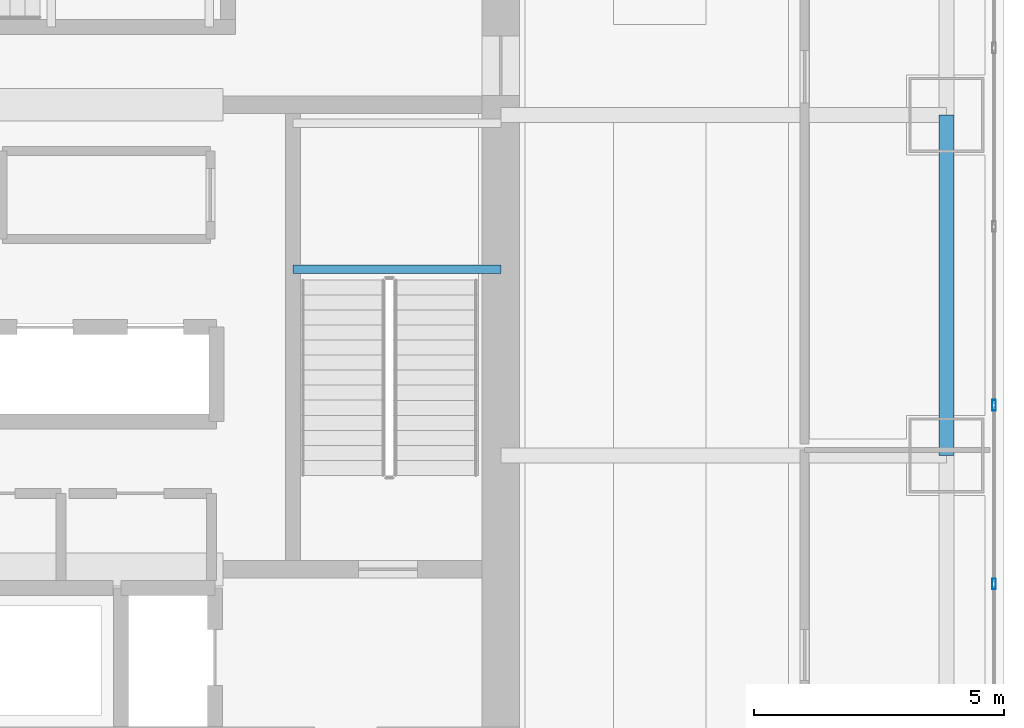
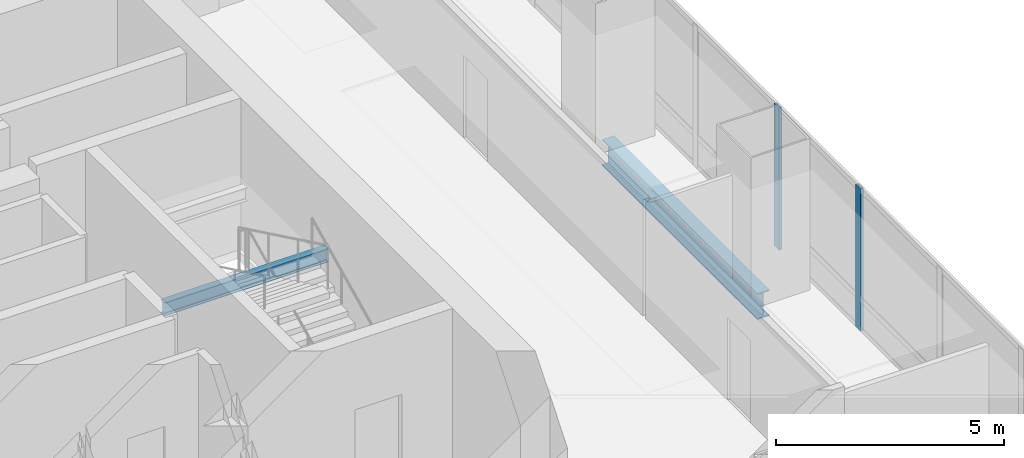
# One storey, part 15 of 36: 2 beams, 2 members, 1 element without a shape of its own.
"""IFC4 building model written with IfcOpenShell, lengths in metres."""

from ifc_helpers import new_model, si_unit, direction, frame, origin, origin_2d, place, context, subcontext, project, spatial, hollow_rectangle, i_section, extrude, material, material_profile, profile_set, type_object, element, aggregate, save


model = new_model("IFC4")

# Units and contexts
model_context = context("Model", 3, precision=1e-05, world=origin(), true_north=direction((0.0, 1.0)))
body_context = subcontext(model_context, "Body", "Model", "MODEL_VIEW")
ifc_project = project(units=[si_unit("LENGTHUNIT", "METRE"), si_unit("AREAUNIT", "SQUARE_METRE"), si_unit("VOLUMEUNIT", "CUBIC_METRE"), si_unit("PLANEANGLEUNIT", "RADIAN"), si_unit("MASSUNIT", "GRAM", prefix="KILO")], contexts=[model_context])

# Site, building, storey
site_placement = place(None, origin())
site = spatial("IfcSite", under=ifc_project, at=site_placement, CompositionType="ELEMENT")
building_placement = place(site_placement, origin())
building = spatial("IfcBuilding", under=site, at=building_placement, Name="Punatoya Terracotta Tower", CompositionType="ELEMENT")
storey_placement = place(building_placement, frame((0.0, 0.0, 48.449951171875)))
storey = spatial("IfcBuildingStorey", under=building, at=storey_placement, Name="L10", CompositionType="ELEMENT", Elevation=48.449951171875)

# Beams
ifc_material_1 = material(Name="Steel S355", Category="steel")
ifc_material_profile_1 = material_profile(ifc_material_1, i_section(OverallWidth=0.300048828125, OverallDepth=0.699951171875, WebThickness=0.01708984375, FlangeThickness=0.031982421875, FilletRadius=0.01806640625, at=origin_2d()))
ifc_profile_set_1 = profile_set([ifc_material_profile_1], Name="Steel S355")
beam_type_1 = type_object("IfcBeamType", Name="BM-PRI-700", PredefinedType="BEAM", material=ifc_profile_set_1)
beam_1_placement = place(storey_placement, frame((19.10009765625, -3.39990234375, -0.58984375), z_axis=(0.0, 1.0, 0.0), x_axis=(-1.0, 0.0, 0.0)))
element("IfcBeam", 1, at=beam_1_placement, inside=storey, type_object=beam_type_1, Name="BM-L10-RG-E2", PredefinedType="BEAM", context=body_context, shape_type="SweptSolid", body=[
    extrude(i_section(OverallWidth=0.300048828125, OverallDepth=0.699951171875, WebThickness=0.01708984375, FlangeThickness=0.031982421875, FilletRadius=0.01806640625, at=origin_2d()), origin(), (0.0, 0.0, 1.0), 6.7998046875),
])
ifc_material_profile_2 = material_profile(ifc_material_1, i_section(OverallWidth=0.169921875, OverallDepth=0.360107421875, WebThickness=0.008056640625, FlangeThickness=0.0126953125, FilletRadius=0.01806640625, at=origin_2d()))
ifc_profile_set_2 = profile_set([ifc_material_profile_2], Name="Steel S355")
beam_type_2 = type_object("IfcBeamType", Name="BM-SEC-360", PredefinedType="JOIST", material=ifc_profile_set_2)
beam_2_placement = place(storey_placement, frame((6.050048828125, 0.320068359375, 1.64501953125), z_axis=(1.0, 0.0, 0.0), x_axis=(0.0, 1.0, 0.0)))
element("IfcBeam", 2, at=beam_2_placement, inside=storey, type_object=beam_type_2, Name="BM-L10-ST-2-LD1A", PredefinedType="JOIST", context=body_context, shape_type="SweptSolid", body=[
    extrude(i_section(OverallWidth=0.169921875, OverallDepth=0.360107421875, WebThickness=0.008056640625, FlangeThickness=0.0126953125, FilletRadius=0.01806640625, at=origin_2d()), origin(), (0.0, 0.0, 1.0), 4.14990234375),
])

# Curtain wall, members
ifc_material_2 = material(Name="Aluminium 6063-T6 + Double Low-E Glass", Category="aluminium")
curtain_wall_type = type_object("IfcCurtainWallType", Name="CW-M1", PredefinedType="NOTDEFINED", material=ifc_material_2)
curtain_wall_placement = place(storey_placement, origin())
curtain_wall = element("IfcCurtainWall", 3, at=curtain_wall_placement, inside=storey, type_object=curtain_wall_type, Name="L10 Curtain Wall CW-L10-E05-1", PredefinedType="NOTDEFINED")
ifc_material_3 = material(Name="Aluminium 6063-T6", Category="aluminium")
ifc_material_profile_3 = material_profile(ifc_material_3, hollow_rectangle(XDim=0.074951171875, YDim=0.2099609375, WallThickness=0.00439453125, at=origin_2d()))
ifc_profile_set_3 = profile_set([ifc_material_profile_3], Name="Aluminium 6063-T6")
member_type = type_object("IfcMemberType", Name="CW-MUL-M1", PredefinedType="MULLION", material=ifc_profile_set_3)
member_1_placement = place(storey_placement, frame((20.050048828125, -5.96728515625, 0.0), z_axis=(0.0, 0.0, 1.0), x_axis=(1.0, 0.0, 0.0)))
member_1 = element("IfcMember", 4, at=member_1_placement, type_object=member_type, Name="CW-L10-E05-1 Mullion 04", PredefinedType="MULLION", context=body_context, shape_type="SweptSolid", body=[
    extrude(hollow_rectangle(XDim=0.074951171875, YDim=0.2099609375, WallThickness=0.00439453125, at=origin_2d()), origin(), (0.0, 0.0, 1.0), 3.81005859375),
])
member_2_placement = place(storey_placement, frame((20.050048828125, -2.39990234375, 0.0), z_axis=(0.0, 0.0, 1.0), x_axis=(1.0, 0.0, 0.0)))
member_2 = element("IfcMember", 5, at=member_2_placement, type_object=member_type, Name="CW-L10-E05-1 Mullion 05", PredefinedType="MULLION", context=body_context, shape_type="SweptSolid", body=[
    extrude(hollow_rectangle(XDim=0.074951171875, YDim=0.2099609375, WallThickness=0.00439453125, at=origin_2d()), origin(), (0.0, 0.0, 1.0), 3.81005859375),
])
aggregate(curtain_wall, [member_1, member_2])

save(model, "model.ifc")
